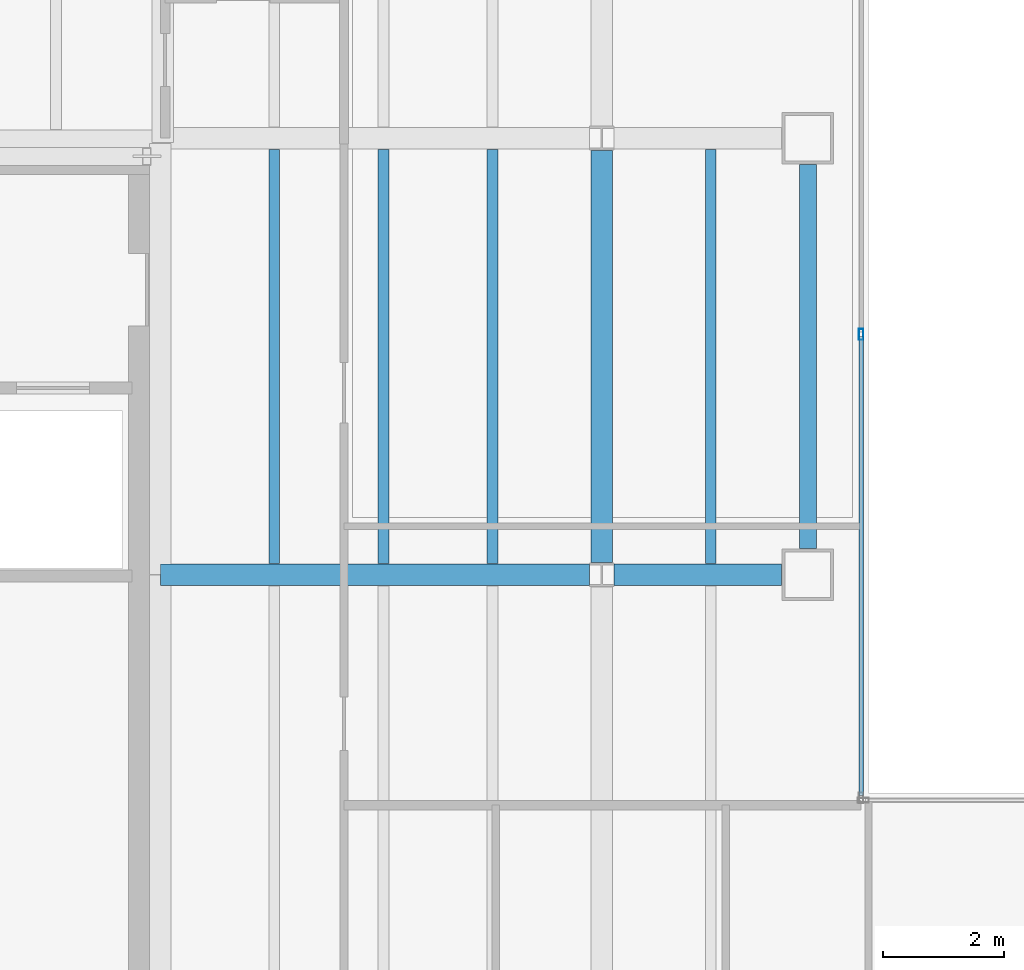
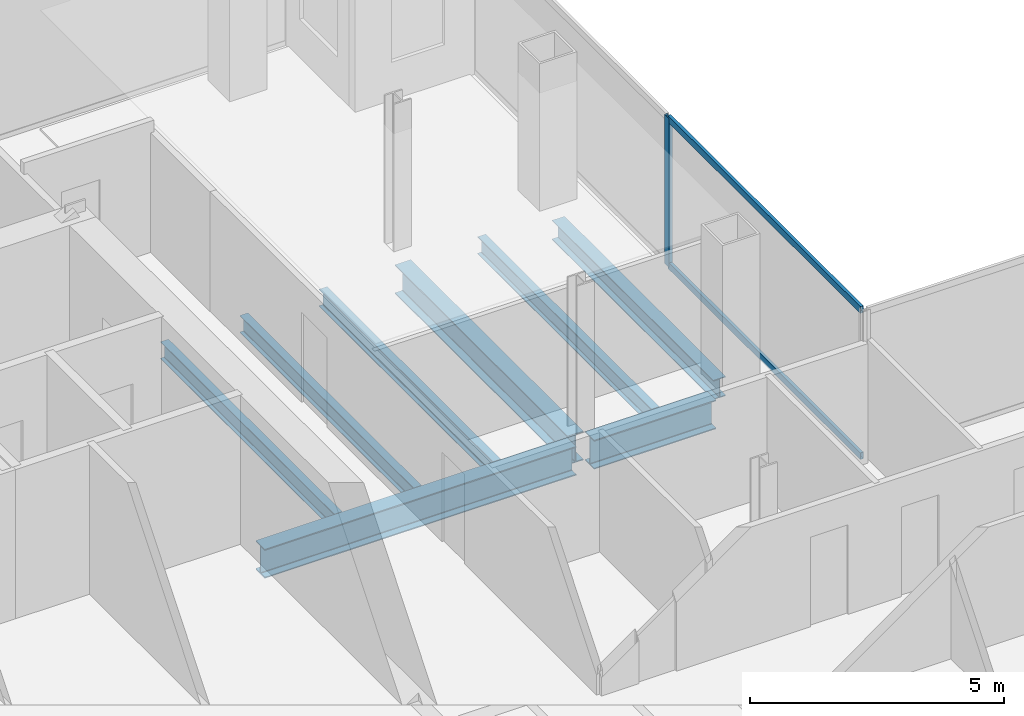
# One storey, part 8 of 24: 8 beams, 3 members, 1 element without a shape of its own.
"""IFC4 building model written with IfcOpenShell, lengths in metres."""

import ifcopenshell
import ifcopenshell.guid

model = None  # the IFC model being written
_history = None  # IfcOwnerHistory: only IFC2X3 demands one
_inside = {}  # id of a spatial element -> (the spatial element, [elements in it])
_under = {}  # id of a project, library or spatial element -> (it, [spatial elements below it])
_declared = {}  # id of a project -> (the project, [libraries it declares])
_typed = {}  # id of a type object -> (the type object, [elements of that type])
_made_of = {}  # id of a material, layer set ... -> (it, [elements and type objects made of it])


def new_model(schema):
    """Start an empty IFC model of exactly this schema.

    Asked for "IFC4X3", IfcOpenShell would pick the latest addendum, in which some entities
    have other attributes; the version numbers below select the first issue.
    IFC2X3 requires an IfcOwnerHistory on every rooted entity: one is made here for all.
    """
    global model, _history
    if schema == "IFC4X3":
        model = ifcopenshell.file(schema_version=(4, 3, 0, 0))
    else:
        model = ifcopenshell.file(schema=schema)
    _inside.clear()
    _under.clear()
    _declared.clear()
    _typed.clear()
    _made_of.clear()
    _history = None
    if model.schema == "IFC2X3":
        org = make("IfcOrganization", Name="unknown")
        user = make(
            "IfcPersonAndOrganization",
            ThePerson=make("IfcPerson", FamilyName="unknown"),
            TheOrganization=org,
        )
        app = make(
            "IfcApplication",
            ApplicationDeveloper=org,
            Version="unknown",
            ApplicationFullName="unknown",
            ApplicationIdentifier="unknown",
        )
        _history = make(
            "IfcOwnerHistory",
            OwningUser=user,
            OwningApplication=app,
            ChangeAction="ADDED",
            CreationDate=0,
        )
    return model


def make(cls, **values):
    """One entity of the class cls with the attributes given. An attribute that is None is left unset."""
    return model.create_entity(
        cls, **{name: value for name, value in values.items() if value is not None}
    )


def rooted(cls, **values):
    """An entity with a GlobalId (a new one), such as an element, a storey or a relation."""
    return make(cls, GlobalId=ifcopenshell.guid.new(), OwnerHistory=_history, **values)


def si_unit(unit_type, name, prefix=None):
    """IfcSIUnit, for example si_unit("LENGTHUNIT", "METRE", prefix="MILLI")."""
    return make("IfcSIUnit", UnitType=unit_type, Prefix=prefix, Name=name)


def assignment(units):
    """IfcUnitAssignment: the units of a project."""
    return None if units is None else make("IfcUnitAssignment", Units=units)


def point(xyz):
    """IfcCartesianPoint."""
    return None if xyz is None else make("IfcCartesianPoint", Coordinates=xyz)


def direction(xyz):
    """IfcDirection."""
    return None if xyz is None else make("IfcDirection", DirectionRatios=xyz)


def frame(location, z_axis=None, x_axis=None):
    """IfcAxis2Placement3D, a coordinate frame: its origin and axes. An axis left out is left unset."""
    return make(
        "IfcAxis2Placement3D",
        Location=point(location),
        Axis=direction(z_axis),
        RefDirection=direction(x_axis),
    )


def frame_2d(location, x_axis=None):
    """IfcAxis2Placement2D, a coordinate frame in the plane: its origin and x axis."""
    return make(
        "IfcAxis2Placement2D", Location=point(location), RefDirection=direction(x_axis)
    )


def origin():
    """The frame at (0, 0, 0) with its axes left unset."""
    return frame((0.0, 0.0, 0.0))


def origin_2d():
    """The frame at (0, 0) in the plane with its x axis left unset."""
    return frame_2d((0.0, 0.0))


def place(relative_to, where):
    """IfcLocalPlacement: puts the frame where relative to a parent placement (None: the world)."""
    return make(
        "IfcLocalPlacement", PlacementRelTo=relative_to, RelativePlacement=where
    )


def context(
    kind, dimensions, precision=None, world=None, true_north=None, identifier=None
):
    """IfcGeometricRepresentationContext, for example the 3D "Model" context."""
    return make(
        "IfcGeometricRepresentationContext",
        ContextIdentifier=identifier,
        ContextType=kind,
        CoordinateSpaceDimension=dimensions,
        Precision=precision,
        WorldCoordinateSystem=world,
        TrueNorth=true_north,
    )


def subcontext(parent, identifier, kind, view, scale=None):
    """IfcGeometricRepresentationSubContext, for example "Body" below "Model"."""
    return make(
        "IfcGeometricRepresentationSubContext",
        ContextIdentifier=identifier,
        ContextType=kind,
        ParentContext=parent,
        TargetScale=scale,
        TargetView=view,
    )


def project(units=None, contexts=None):
    """IfcProject with its units and contexts."""
    return rooted(
        "IfcProject",
        Name="project",
        RepresentationContexts=contexts,
        UnitsInContext=assignment(units),
    )


def spatial(cls, under=None, at=None, **own):
    """A site, building, storey or space (cls), placed at a placement, below another one or the project."""
    s = rooted(cls, ObjectPlacement=at, **own)
    if under is not None:
        _under.setdefault(under.id(), (under, []))[1].append(s)
    return s


def profile(cls, at=None, kind="AREA", **sizes):
    """A parametric profile (cls). Its sizes go by their IFC names, for example OverallWidth=200.0."""
    return make(cls, ProfileType=kind, Position=at, **sizes)


def hollow_rectangle(**sizes):
    """IfcRectangleHollowProfileDef."""
    return profile("IfcRectangleHollowProfileDef", **sizes)


def i_section(**sizes):
    """IfcIShapeProfileDef."""
    return profile("IfcIShapeProfileDef", **sizes)


def extrude(swept, where, along, depth):
    """IfcExtrudedAreaSolid: the profile swept, set in the frame where, extruded along a direction by depth."""
    return make(
        "IfcExtrudedAreaSolid",
        SweptArea=swept,
        Position=where,
        ExtrudedDirection=direction(along),
        Depth=depth,
    )


def shape(context_of_items, identifier, shape_type, items):
    """IfcShapeRepresentation: the items that make up one representation, for example the "Body"."""
    return make(
        "IfcShapeRepresentation",
        ContextOfItems=context_of_items,
        RepresentationIdentifier=identifier,
        RepresentationType=shape_type,
        Items=items,
    )


def material(Name=None, Category=None):
    """IfcMaterial."""
    return make("IfcMaterial", Name=Name, Category=Category)


def material_profile(
    of_material, cross_section, Name=None, Category=None, Priority=None
):
    """IfcMaterialProfile: a cross section and its material."""
    return make(
        "IfcMaterialProfile",
        Name=Name,
        Material=of_material,
        Profile=cross_section,
        Priority=Priority,
        Category=Category,
    )


def profile_set(profiles, Name=None, composite=None):
    """IfcMaterialProfileSet."""
    return make(
        "IfcMaterialProfileSet",
        Name=Name,
        MaterialProfiles=profiles,
        CompositeProfile=composite,
    )


def made_of(thing, what):
    """Note that an element or type object is made of a material, layer set ...; save() writes the relation."""
    if what is not None:
        _made_of.setdefault(what.id(), (what, []))[1].append(thing)
    return thing


def type_object(cls, material=None, **own):
    """A type object (cls), such as IfcWallType, which elements share."""
    return made_of(rooted(cls, **own), material)


def element(
    cls,
    number,
    at=None,
    inside=None,
    cuts=None,
    type_object=None,
    material=None,
    context=None,
    identifier="Body",
    shape_type=None,
    held_by="IfcProductDefinitionShape",
    body=None,
    shapes=None,
    **own,
):
    """One element of the class cls, such as IfcWall. Its Tag is "e" and its number.

    at: its placement. inside: the storey or other place that contains it. cuts: it is an
    opening in that element (IfcRelVoidsElement). A single representation is given by context,
    identifier, shape_type and body (its items); several are given by shapes. held_by: the class
    of the entity that holds the representations. save() writes the other relations.
    """
    e = rooted(cls, Tag="e%d" % number, ObjectPlacement=at, **own)
    if body is not None:
        shapes = [shape(context, identifier, shape_type, body)]
    if shapes is not None:
        e.Representation = make(held_by, Representations=shapes)
    if inside is not None:
        _inside.setdefault(inside.id(), (inside, []))[1].append(e)
    if cuts is not None:
        rooted(
            "IfcRelVoidsElement", RelatingBuildingElement=cuts, RelatedOpeningElement=e
        )
    if type_object is not None:
        _typed.setdefault(type_object.id(), (type_object, []))[1].append(e)
    return made_of(e, material)


def aggregate(whole, parts):
    """IfcRelAggregates: a whole, such as a stair, and the parts it consists of."""
    return rooted("IfcRelAggregates", RelatingObject=whole, RelatedObjects=parts)


def save(model, path):
    """Write the relations noted so far, then the file.

    IfcRelAggregates (storeys below a building ...), IfcRelContainedInSpatialStructure (elements
    in a storey), IfcRelDefinesByType, IfcRelAssociatesMaterial and IfcRelDeclares: one each for
    every whole, place, type object, material and project.
    """
    for whole, parts in _under.values():
        aggregate(whole, parts)
    for where, things in _inside.values():
        rooted(
            "IfcRelContainedInSpatialStructure",
            RelatedElements=things,
            RelatingStructure=where,
        )
    for kind, things in _typed.values():
        rooted("IfcRelDefinesByType", RelatedObjects=things, RelatingType=kind)
    for what, things in _made_of.values():
        rooted("IfcRelAssociatesMaterial", RelatedObjects=things, RelatingMaterial=what)
    for by, libraries in _declared.values():
        rooted("IfcRelDeclares", RelatingContext=by, RelatedDefinitions=libraries)
    model.write(path)


model = new_model("IFC4")

# Units and contexts
model_context = context("Model", 3, precision=1e-05, world=origin(), true_north=direction((0.0, 1.0)))
body_context = subcontext(model_context, "Body", "Model", "MODEL_VIEW")
ifc_project = project(units=[si_unit("LENGTHUNIT", "METRE"), si_unit("AREAUNIT", "SQUARE_METRE"), si_unit("VOLUMEUNIT", "CUBIC_METRE"), si_unit("PLANEANGLEUNIT", "RADIAN"), si_unit("MASSUNIT", "GRAM", prefix="KILO")], contexts=[model_context])

# Site, building, storey
site_placement = place(None, origin())
site = spatial("IfcSite", under=ifc_project, at=site_placement, CompositionType="ELEMENT")
building_placement = place(site_placement, origin())
building = spatial("IfcBuilding", under=site, at=building_placement, Name="Cobrela Telecom Tower", CompositionType="ELEMENT")
storey_placement = place(building_placement, frame((0.0, 0.0, 152.25)))
storey = spatial("IfcBuildingStorey", under=building, at=storey_placement, Name="L38", CompositionType="ELEMENT", Elevation=152.25)

# Beams
ifc_material_1 = material(Name="Steel ASTM A992 Grade 50", Category="steel")
ifc_material_profile_1 = material_profile(ifc_material_1, i_section(OverallWidth=0.35595703125, OverallDepth=0.696044921875, WebThickness=0.015380859375, FlangeThickness=0.024658203125, FilletRadius=0.01806640625, at=origin_2d()), Name="W27X146")
ifc_profile_set_1 = profile_set([ifc_material_profile_1], Name="Steel ASTM A992 Grade 50")
beam_type_1 = type_object("IfcBeamType", Name="BM-GIRD-05", PredefinedType="USERDEFINED", material=ifc_profile_set_1)
beam_1_placement = place(storey_placement, frame((14.324951171875, 28.800048828125, -0.617919921875), z_axis=(1.0, 0.0, 0.0), x_axis=(0.0, 1.0, 0.0)))
element("IfcBeam", 1, at=beam_1_placement, inside=storey, type_object=beam_type_1, Name="L38 Primary Girder X23", ObjectType="GIRDER", PredefinedType="USERDEFINED", context=body_context, shape_type="SweptSolid", body=[
    extrude(i_section(OverallWidth=0.35595703125, OverallDepth=0.696044921875, WebThickness=0.015380859375, FlangeThickness=0.024658203125, FilletRadius=0.01806640625, at=origin_2d()), origin(), (0.0, 0.0, 1.0), 7.070556640625),
])
beam_2_placement = place(storey_placement, frame((21.804443359375, 28.800048828125, -0.617919921875), z_axis=(1.0, 0.0, 0.0), x_axis=(0.0, 1.0, 0.0)))
element("IfcBeam", 2, at=beam_2_placement, inside=storey, type_object=beam_type_1, Name="L38 Primary Girder X24", ObjectType="GIRDER", PredefinedType="USERDEFINED", context=body_context, shape_type="SweptSolid", body=[
    extrude(i_section(OverallWidth=0.35595703125, OverallDepth=0.696044921875, WebThickness=0.015380859375, FlangeThickness=0.024658203125, FilletRadius=0.01806640625, at=origin_2d()), origin(), (0.0, 0.0, 1.0), 2.765625),
])
beam_3_placement = place(storey_placement, frame((21.60009765625, 29.00439453125, -0.617919921875), z_axis=(0.0, 1.0, 0.0), x_axis=(-1.0, 0.0, 0.0)))
element("IfcBeam", 3, at=beam_3_placement, inside=storey, type_object=beam_type_1, Name="L38 Primary Girder Y43", ObjectType="GIRDER", PredefinedType="USERDEFINED", context=body_context, shape_type="SweptSolid", body=[
    extrude(i_section(OverallWidth=0.35595703125, OverallDepth=0.696044921875, WebThickness=0.015380859375, FlangeThickness=0.024658203125, FilletRadius=0.01806640625, at=origin_2d()), origin(), (0.0, 0.0, 1.0), 6.791015625),
])
ifc_material_profile_2 = material_profile(ifc_material_1, i_section(OverallWidth=0.179931640625, OverallDepth=0.4169921875, WebThickness=0.010986328125, FlangeThickness=0.01806640625, FilletRadius=0.011962890625, at=origin_2d()), Name="W16X57")
ifc_profile_set_2 = profile_set([ifc_material_profile_2], Name="Steel ASTM A992 Grade 50")
beam_type_2 = type_object("IfcBeamType", Name="BM-JOIST-04", PredefinedType="JOIST", material=ifc_profile_set_2)
for number, where, z_axis, x_axis, name in (
    (4, (16.199951171875, 28.98291015625, -0.478515625), (0.0, 1.0, 0.0), (-1.0, 0.0, 0.0), "L38 Secondary Composite Floor Beam J07"),
    (5, (18.0, 28.98291015625, -0.478515625), (0.0, 1.0, 0.0), (-1.0, 0.0, 0.0), "L38 Secondary Composite Floor Beam J12"),
    (6, (19.800048828125, 28.98291015625, -0.478515625), (0.0, 1.0, 0.0), (-1.0, 0.0, 0.0), "L38 Secondary Composite Floor Beam J17"),
    (7, (23.39990234375, 28.98291015625, -0.478515625), (0.0, 1.0, 0.0), (-1.0, 0.0, 0.0), "L38 Secondary Composite Floor Beam J22"),
):
    element("IfcBeam", number, at=place(storey_placement, frame(where, z_axis=z_axis, x_axis=x_axis)), inside=storey, type_object=beam_type_2, Name=name, PredefinedType="JOIST", context=body_context, shape_type="SweptSolid", body=[
        extrude(i_section(OverallWidth=0.179931640625, OverallDepth=0.4169921875, WebThickness=0.010986328125, FlangeThickness=0.01806640625, FilletRadius=0.011962890625, at=origin_2d()), origin(), (0.0, 0.0, 1.0), 6.833984375),
    ])
ifc_material_profile_3 = material_profile(ifc_material_1, i_section(OverallWidth=0.281982421875, OverallDepth=0.467041015625, WebThickness=0.01220703125, FlangeThickness=0.01953125, FilletRadius=0.012939453125, at=origin_2d()), Name="W18X86")
ifc_profile_set_3 = profile_set([ifc_material_profile_3], Name="Steel ASTM A992 Grade 50")
beam_type_3 = type_object("IfcBeamType", Name="BM-SPAND-04", PredefinedType="SPANDREL", material=ifc_profile_set_3)
beam_4_placement = place(storey_placement, frame((25.0, 29.22998046875, -0.50341796875), z_axis=(0.0, 1.0, 0.0), x_axis=(-1.0, 0.0, 0.0)))
element("IfcBeam", 8, at=beam_4_placement, inside=storey, type_object=beam_type_3, Name="L38 Perimeter Spandrel Y45", PredefinedType="SPANDREL", context=body_context, shape_type="SweptSolid", body=[
    extrude(i_section(OverallWidth=0.281982421875, OverallDepth=0.467041015625, WebThickness=0.01220703125, FlangeThickness=0.01953125, FilletRadius=0.012939453125, at=origin_2d()), origin(), (0.0, 0.0, 1.0), 6.340087890625),
])

# Curtain wall, members
ifc_material_2 = material(Name="Anodized Bronze Aluminium 6063-T6", Category="aluminium")
curtain_wall_type = type_object("IfcCurtainWallType", Name="CW-SYS-TEL", PredefinedType="USERDEFINED", material=ifc_material_2)
curtain_wall_placement = place(storey_placement, origin())
curtain_wall = element("IfcCurtainWall", 9, at=curtain_wall_placement, inside=storey, type_object=curtain_wall_type, Name="L38 Unitised Bronze Curtain Wall 10", ObjectType="UNITISED CURTAIN WALL", PredefinedType="USERDEFINED")
ifc_material_profile_4 = material_profile(ifc_material_2, hollow_rectangle(XDim=0.074951171875, YDim=0.179931640625, WallThickness=0.00390625, at=origin_2d()), Name="ALU 75x180x4")
ifc_profile_set_4 = profile_set([ifc_material_profile_4], Name="Anodized Bronze Aluminium 6063-T6")
member_type_1 = type_object("IfcMemberType", Name="CW-SYS-TEL-MUL", PredefinedType="MULLION", material=ifc_profile_set_4)
member_1_placement = place(storey_placement, frame((25.8798828125, 32.764892578125, 0.0), z_axis=(0.0, 0.0, 1.0), x_axis=(1.0, 0.0, 0.0)))
member_1 = element("IfcMember", 10, at=member_1_placement, type_object=member_type_1, Name="CW-TEL mullion 2", PredefinedType="MULLION", context=body_context, shape_type="SweptSolid", body=[
    extrude(hollow_rectangle(XDim=0.074951171875, YDim=0.179931640625, WallThickness=0.00390625, at=origin_2d()), origin(), (0.0, 0.0, 1.0), 3.580078125),
])
ifc_material_profile_5 = material_profile(ifc_material_2, hollow_rectangle(XDim=0.070068359375, YDim=0.159912109375, WallThickness=0.00390625, at=origin_2d()), Name="ALU 70x160x4")
ifc_profile_set_5 = profile_set([ifc_material_profile_5], Name="Anodized Bronze Aluminium 6063-T6")
member_type_2 = type_object("IfcMemberType", Name="CW-SYS-TEL-TRN", PredefinedType="USERDEFINED", material=ifc_profile_set_5)
member_2_placement = place(storey_placement, frame((25.8798828125, 32.7275390625, 0.034912109375), z_axis=(0.0, -1.0, 0.0), x_axis=(1.0, 0.0, 0.0)))
member_2 = element("IfcMember", 11, at=member_2_placement, type_object=member_type_2, Name="CW-TEL transom 2.1", ObjectType="TRANSOM", PredefinedType="USERDEFINED", context=body_context, shape_type="SweptSolid", body=[
    extrude(hollow_rectangle(XDim=0.070068359375, YDim=0.159912109375, WallThickness=0.00390625, at=origin_2d()), origin(), (0.0, 0.0, 1.0), 7.572509765625),
])
member_3_placement = place(storey_placement, frame((25.8798828125, 32.7275390625, 3.544921875), z_axis=(0.0, -1.0, 0.0), x_axis=(1.0, 0.0, 0.0)))
member_3 = element("IfcMember", 12, at=member_3_placement, type_object=member_type_2, Name="CW-TEL transom 2.2", ObjectType="TRANSOM", PredefinedType="USERDEFINED", context=body_context, shape_type="SweptSolid", body=[
    extrude(hollow_rectangle(XDim=0.070068359375, YDim=0.159912109375, WallThickness=0.00390625, at=origin_2d()), origin(), (0.0, 0.0, 1.0), 7.572509765625),
])
aggregate(curtain_wall, [member_1, member_2, member_3])

save(model, "model.ifc")
